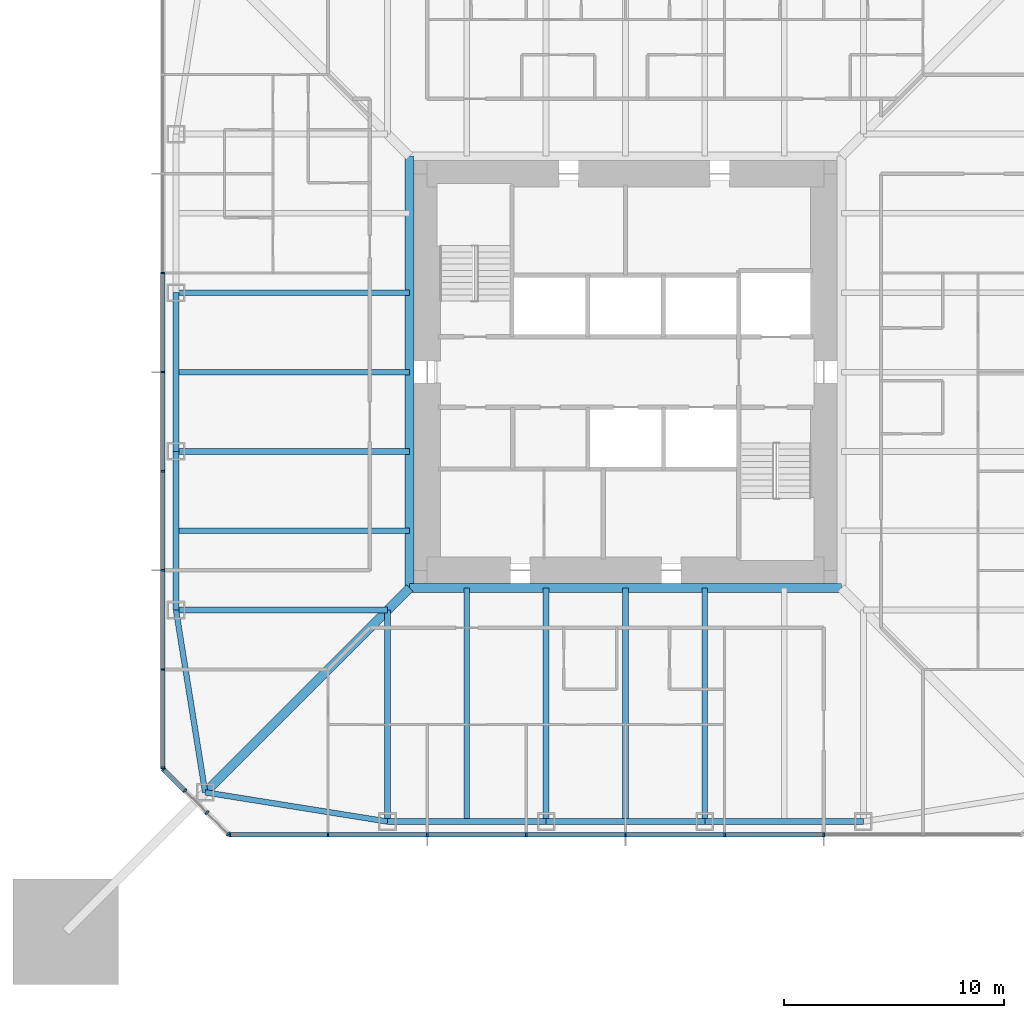
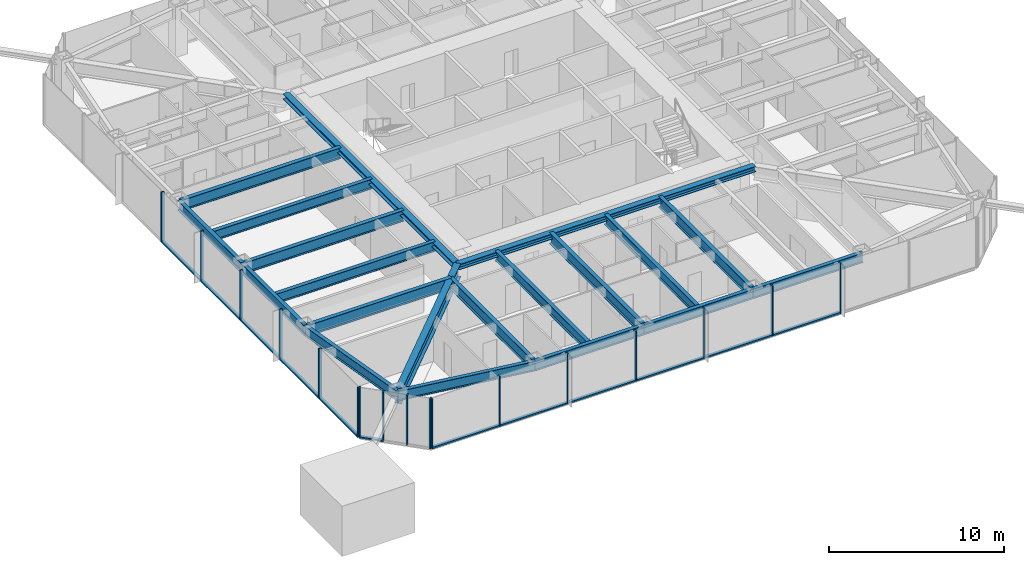
# One storey, part 2 of 23: 29 members, 20 beams, 3 elements without a shape of their own.
"""IFC4 building model written with IfcOpenShell, lengths in metres."""

from ifc_helpers import new_model, si_unit, direction, frame, origin, origin_2d, place, context, subcontext, project, spatial, rectangle, i_section, extrude, material, material_profile, profile_set, type_object, element, aggregate, save


model = new_model("IFC4")

# Units and contexts
model_context = context("Model", 3, precision=1e-05, world=origin(), true_north=direction((0.0, 1.0)))
body_context = subcontext(model_context, "Body", "Model", "MODEL_VIEW")
ifc_project = project(units=[si_unit("LENGTHUNIT", "METRE"), si_unit("AREAUNIT", "SQUARE_METRE"), si_unit("VOLUMEUNIT", "CUBIC_METRE"), si_unit("PLANEANGLEUNIT", "RADIAN"), si_unit("MASSUNIT", "GRAM", prefix="KILO")], contexts=[model_context])

# Site, building, storey
site_placement = place(None, origin())
site = spatial("IfcSite", under=ifc_project, at=site_placement, CompositionType="ELEMENT")
building_placement = place(site_placement, origin())
building = spatial("IfcBuilding", under=site, at=building_placement, Name="Iwan Alto Co-Living Towers", CompositionType="ELEMENT")
storey_placement = place(building_placement, frame((0.0, 0.0, 122.5)))
storey = spatial("IfcBuildingStorey", under=building, at=storey_placement, Name="L33", CompositionType="ELEMENT", Elevation=122.5)

# Curtain wall, members
ifc_material_1 = material(Name="Bronze aluminium unitised frame", Category="aluminium")
curtain_wall_type_1 = type_object("IfcCurtainWallType", Name="CURTAIN WALL CW-A", PredefinedType="NOTDEFINED", material=ifc_material_1)
curtain_wall_1_placement = place(storey_placement, origin())
curtain_wall_1 = element("IfcCurtainWall", 1, at=curtain_wall_1_placement, inside=storey, type_object=curtain_wall_type_1, Name="T1 curtain wall S L33", PredefinedType="NOTDEFINED")
ifc_material_2 = material(Name="Aluminium 6063-T6 bronze anodised", Category="aluminium")
ifc_material_profile_1 = material_profile(ifc_material_2, rectangle(XDim=0.199951171875, YDim=0.080078125, at=origin_2d()), Name="AL 80X200")
ifc_profile_set_1 = profile_set([ifc_material_profile_1], Name="Aluminium 6063-T6 bronze anodised")
member_type_1 = type_object("IfcMemberType", Name="CW-A MULLION 80X200", PredefinedType="MULLION", material=ifc_profile_set_1)
member_1_placement = place(storey_placement, frame((-17.9599609375, -21.0, 0.0), z_axis=(0.0, 0.0, 1.0), x_axis=(0.0, 1.0, 0.0)))
member_1 = element("IfcMember", 2, at=member_1_placement, type_object=member_type_1, Name="CW-A mullion 1", PredefinedType="MULLION", context=body_context, shape_type="SweptSolid", body=[
    extrude(rectangle(XDim=0.199951171875, YDim=0.080078125, at=origin_2d()), origin(), (0.0, 0.0, 1.0), 3.5),
])
member_2_placement = place(storey_placement, frame((-13.5, -21.0, 0.0), z_axis=(0.0, 0.0, 1.0), x_axis=(0.0, 1.0, 0.0)))
member_2 = element("IfcMember", 3, at=member_2_placement, type_object=member_type_1, Name="CW-A mullion 2", PredefinedType="MULLION", context=body_context, shape_type="SweptSolid", body=[
    extrude(rectangle(XDim=0.199951171875, YDim=0.080078125, at=origin_2d()), origin(), (0.0, 0.0, 1.0), 3.5),
])
member_3_placement = place(storey_placement, frame((-9.0, -21.0, 0.0), z_axis=(0.0, 0.0, 1.0), x_axis=(0.0, 1.0, 0.0)))
member_3 = element("IfcMember", 4, at=member_3_placement, type_object=member_type_1, Name="CW-A mullion 3", PredefinedType="MULLION", context=body_context, shape_type="SweptSolid", body=[
    extrude(rectangle(XDim=0.199951171875, YDim=0.080078125, at=origin_2d()), origin(), (0.0, 0.0, 1.0), 3.5),
])
member_4_placement = place(storey_placement, frame((-4.5, -21.0, 0.0), z_axis=(0.0, 0.0, 1.0), x_axis=(0.0, 1.0, 0.0)))
member_4 = element("IfcMember", 5, at=member_4_placement, type_object=member_type_1, Name="CW-A mullion 4", PredefinedType="MULLION", context=body_context, shape_type="SweptSolid", body=[
    extrude(rectangle(XDim=0.199951171875, YDim=0.080078125, at=origin_2d()), origin(), (0.0, 0.0, 1.0), 3.5),
])
member_5_placement = place(storey_placement, frame((0.0, -21.0, 0.0), z_axis=(0.0, 0.0, 1.0), x_axis=(0.0, 1.0, 0.0)))
member_5 = element("IfcMember", 6, at=member_5_placement, type_object=member_type_1, Name="CW-A mullion 5", PredefinedType="MULLION", context=body_context, shape_type="SweptSolid", body=[
    extrude(rectangle(XDim=0.199951171875, YDim=0.080078125, at=origin_2d()), origin(), (0.0, 0.0, 1.0), 3.5),
])
member_6_placement = place(storey_placement, frame((4.5, -21.0, 0.0), z_axis=(0.0, 0.0, 1.0), x_axis=(0.0, 1.0, 0.0)))
member_6 = element("IfcMember", 7, at=member_6_placement, type_object=member_type_1, Name="CW-A mullion 6", PredefinedType="MULLION", context=body_context, shape_type="SweptSolid", body=[
    extrude(rectangle(XDim=0.199951171875, YDim=0.080078125, at=origin_2d()), origin(), (0.0, 0.0, 1.0), 3.5),
])
member_7_placement = place(storey_placement, frame((9.0, -21.0, 0.0), z_axis=(0.0, 0.0, 1.0), x_axis=(0.0, 1.0, 0.0)))
member_7 = element("IfcMember", 8, at=member_7_placement, type_object=member_type_1, Name="CW-A mullion 7", PredefinedType="MULLION", context=body_context, shape_type="SweptSolid", body=[
    extrude(rectangle(XDim=0.199951171875, YDim=0.080078125, at=origin_2d()), origin(), (0.0, 0.0, 1.0), 3.5),
])

curtain_wall_2_placement = place(storey_placement, origin())
curtain_wall_2 = element("IfcCurtainWall", 9, at=curtain_wall_2_placement, inside=storey, type_object=curtain_wall_type_1, Name="T1 curtain wall W L33", PredefinedType="NOTDEFINED")
member_8_placement = place(storey_placement, frame((-21.0, 4.5, 0.0), z_axis=(0.0, 0.0, 1.0), x_axis=(1.0, 0.0, 0.0)))
member_8 = element("IfcMember", 10, at=member_8_placement, type_object=member_type_1, Name="CW-A mullion 4", PredefinedType="MULLION", context=body_context, shape_type="SweptSolid", body=[
    extrude(rectangle(XDim=0.199951171875, YDim=0.080078125, at=origin_2d()), origin(), (0.0, 0.0, 1.0), 3.5),
])
member_9_placement = place(storey_placement, frame((-21.0, 0.0, 0.0), z_axis=(0.0, 0.0, 1.0), x_axis=(1.0, 0.0, 0.0)))
member_9 = element("IfcMember", 11, at=member_9_placement, type_object=member_type_1, Name="CW-A mullion 5", PredefinedType="MULLION", context=body_context, shape_type="SweptSolid", body=[
    extrude(rectangle(XDim=0.199951171875, YDim=0.080078125, at=origin_2d()), origin(), (0.0, 0.0, 1.0), 3.5),
])
member_10_placement = place(storey_placement, frame((-21.0, -4.5, 0.0), z_axis=(0.0, 0.0, 1.0), x_axis=(1.0, 0.0, 0.0)))
member_10 = element("IfcMember", 12, at=member_10_placement, type_object=member_type_1, Name="CW-A mullion 6", PredefinedType="MULLION", context=body_context, shape_type="SweptSolid", body=[
    extrude(rectangle(XDim=0.199951171875, YDim=0.080078125, at=origin_2d()), origin(), (0.0, 0.0, 1.0), 3.5),
])
member_11_placement = place(storey_placement, frame((-21.0, -9.0, 0.0), z_axis=(0.0, 0.0, 1.0), x_axis=(1.0, 0.0, 0.0)))
member_11 = element("IfcMember", 13, at=member_11_placement, type_object=member_type_1, Name="CW-A mullion 7", PredefinedType="MULLION", context=body_context, shape_type="SweptSolid", body=[
    extrude(rectangle(XDim=0.199951171875, YDim=0.080078125, at=origin_2d()), origin(), (0.0, 0.0, 1.0), 3.5),
])
member_12_placement = place(storey_placement, frame((-21.0, -13.5, 0.0), z_axis=(0.0, 0.0, 1.0), x_axis=(1.0, 0.0, 0.0)))
member_12 = element("IfcMember", 14, at=member_12_placement, type_object=member_type_1, Name="CW-A mullion 8", PredefinedType="MULLION", context=body_context, shape_type="SweptSolid", body=[
    extrude(rectangle(XDim=0.199951171875, YDim=0.080078125, at=origin_2d()), origin(), (0.0, 0.0, 1.0), 3.5),
])
member_13_placement = place(storey_placement, frame((-21.0, -17.9599609375, 0.0), z_axis=(0.0, 0.0, 1.0), x_axis=(1.0, 0.0, 0.0)))
member_13 = element("IfcMember", 15, at=member_13_placement, type_object=member_type_1, Name="CW-A mullion 9", PredefinedType="MULLION", context=body_context, shape_type="SweptSolid", body=[
    extrude(rectangle(XDim=0.199951171875, YDim=0.080078125, at=origin_2d()), origin(), (0.0, 0.0, 1.0), 3.5),
])

# Member
ifc_material_3 = material(Name="Aluminium 6063-T6 bronze anodised", Category="aluminium")
ifc_material_profile_2 = material_profile(ifc_material_3, rectangle(XDim=0.199951171875, YDim=0.10009765625, at=origin_2d()), Name="AL 200X100")
ifc_profile_set_2 = profile_set([ifc_material_profile_2], Name="Aluminium 6063-T6 bronze anodised")
member_type_2 = type_object("IfcMemberType", Name="CW-A TRANSOM 200X100", PredefinedType="USERDEFINED", material=ifc_profile_set_2)
member_14_placement = place(storey_placement, frame((-17.919921875, -21.0, 0.050048828125), z_axis=(1.0, 0.0, 0.0), x_axis=(0.0, 1.0, 0.0)))
member_14 = element("IfcMember", 16, at=member_14_placement, type_object=member_type_2, Name="CW-A transom 1.1", ObjectType="TRANSOM", PredefinedType="USERDEFINED", context=body_context, shape_type="SweptSolid", body=[
    extrude(rectangle(XDim=0.199951171875, YDim=0.10009765625, at=origin_2d()), origin(), (0.0, 0.0, 1.0), 4.3798828125),
])

member_15_placement = place(storey_placement, frame((-13.4599609375, -21.0, 0.050048828125), z_axis=(1.0, 0.0, 0.0), x_axis=(0.0, 1.0, 0.0)))
member_15 = element("IfcMember", 17, at=member_15_placement, type_object=member_type_2, Name="CW-A transom 2.1", ObjectType="TRANSOM", PredefinedType="USERDEFINED", context=body_context, shape_type="SweptSolid", body=[
    extrude(rectangle(XDim=0.199951171875, YDim=0.10009765625, at=origin_2d()), origin(), (0.0, 0.0, 1.0), 4.419921875),
])

member_16_placement = place(storey_placement, frame((-8.9599609375, -21.0, 0.050048828125), z_axis=(1.0, 0.0, 0.0), x_axis=(0.0, 1.0, 0.0)))
member_16 = element("IfcMember", 18, at=member_16_placement, type_object=member_type_2, Name="CW-A transom 3.1", ObjectType="TRANSOM", PredefinedType="USERDEFINED", context=body_context, shape_type="SweptSolid", body=[
    extrude(rectangle(XDim=0.199951171875, YDim=0.10009765625, at=origin_2d()), origin(), (0.0, 0.0, 1.0), 4.419921875),
])

member_17_placement = place(storey_placement, frame((-4.4599609375, -21.0, 0.050048828125), z_axis=(1.0, 0.0, 0.0), x_axis=(0.0, 1.0, 0.0)))
member_17 = element("IfcMember", 19, at=member_17_placement, type_object=member_type_2, Name="CW-A transom 4.1", ObjectType="TRANSOM", PredefinedType="USERDEFINED", context=body_context, shape_type="SweptSolid", body=[
    extrude(rectangle(XDim=0.199951171875, YDim=0.10009765625, at=origin_2d()), origin(), (0.0, 0.0, 1.0), 4.419921875),
])

member_18_placement = place(storey_placement, frame((0.0400390625, -21.0, 0.050048828125), z_axis=(1.0, 0.0, 0.0), x_axis=(0.0, 1.0, 0.0)))
member_18 = element("IfcMember", 20, at=member_18_placement, type_object=member_type_2, Name="CW-A transom 5.1", ObjectType="TRANSOM", PredefinedType="USERDEFINED", context=body_context, shape_type="SweptSolid", body=[
    extrude(rectangle(XDim=0.199951171875, YDim=0.10009765625, at=origin_2d()), origin(), (0.0, 0.0, 1.0), 4.419921875),
])

member_19_placement = place(storey_placement, frame((4.5400390625, -21.0, 0.050048828125), z_axis=(1.0, 0.0, 0.0), x_axis=(0.0, 1.0, 0.0)))
member_19 = element("IfcMember", 21, at=member_19_placement, type_object=member_type_2, Name="CW-A transom 6.1", ObjectType="TRANSOM", PredefinedType="USERDEFINED", context=body_context, shape_type="SweptSolid", body=[
    extrude(rectangle(XDim=0.199951171875, YDim=0.10009765625, at=origin_2d()), origin(), (0.0, 0.0, 1.0), 4.419921875),
])

aggregate(curtain_wall_1, [member_1, member_2, member_3, member_4, member_5, member_6, member_7, member_14, member_15, member_16, member_17, member_18, member_19])

member_20_placement = place(storey_placement, frame((-21.0, 4.4599609375, 0.050048828125), z_axis=(0.0, -1.0, 0.0), x_axis=(1.0, 0.0, 0.0)))
member_20 = element("IfcMember", 22, at=member_20_placement, type_object=member_type_2, Name="CW-A transom 4.1", ObjectType="TRANSOM", PredefinedType="USERDEFINED", context=body_context, shape_type="SweptSolid", body=[
    extrude(rectangle(XDim=0.199951171875, YDim=0.10009765625, at=origin_2d()), origin(), (0.0, 0.0, 1.0), 4.419921875),
])

member_21_placement = place(storey_placement, frame((-21.0, -0.0400390625, 0.050048828125), z_axis=(0.0, -1.0, 0.0), x_axis=(1.0, 0.0, 0.0)))
member_21 = element("IfcMember", 23, at=member_21_placement, type_object=member_type_2, Name="CW-A transom 5.1", ObjectType="TRANSOM", PredefinedType="USERDEFINED", context=body_context, shape_type="SweptSolid", body=[
    extrude(rectangle(XDim=0.199951171875, YDim=0.10009765625, at=origin_2d()), origin(), (0.0, 0.0, 1.0), 4.419921875),
])

member_22_placement = place(storey_placement, frame((-21.0, -4.5400390625, 0.050048828125), z_axis=(0.0, -1.0, 0.0), x_axis=(1.0, 0.0, 0.0)))
member_22 = element("IfcMember", 24, at=member_22_placement, type_object=member_type_2, Name="CW-A transom 6.1", ObjectType="TRANSOM", PredefinedType="USERDEFINED", context=body_context, shape_type="SweptSolid", body=[
    extrude(rectangle(XDim=0.199951171875, YDim=0.10009765625, at=origin_2d()), origin(), (0.0, 0.0, 1.0), 4.419921875),
])

member_23_placement = place(storey_placement, frame((-21.0, -9.0400390625, 0.050048828125), z_axis=(0.0, -1.0, 0.0), x_axis=(1.0, 0.0, 0.0)))
member_23 = element("IfcMember", 25, at=member_23_placement, type_object=member_type_2, Name="CW-A transom 7.1", ObjectType="TRANSOM", PredefinedType="USERDEFINED", context=body_context, shape_type="SweptSolid", body=[
    extrude(rectangle(XDim=0.199951171875, YDim=0.10009765625, at=origin_2d()), origin(), (0.0, 0.0, 1.0), 4.419921875),
])

member_24_placement = place(storey_placement, frame((-21.0, -13.5400390625, 0.050048828125), z_axis=(0.0, -1.0, 0.0), x_axis=(1.0, 0.0, 0.0)))
member_24 = element("IfcMember", 26, at=member_24_placement, type_object=member_type_2, Name="CW-A transom 8.1", ObjectType="TRANSOM", PredefinedType="USERDEFINED", context=body_context, shape_type="SweptSolid", body=[
    extrude(rectangle(XDim=0.199951171875, YDim=0.10009765625, at=origin_2d()), origin(), (0.0, 0.0, 1.0), 4.3798828125),
])

aggregate(curtain_wall_2, [member_8, member_9, member_10, member_11, member_12, member_13, member_20, member_21, member_22, member_23, member_24])

# Curtain wall, members
ifc_material_4 = material(Name="Bronze aluminium unitised frame", Category="aluminium")
curtain_wall_type_2 = type_object("IfcCurtainWallType", Name="CURTAIN WALL CW-B", PredefinedType="NOTDEFINED", material=ifc_material_4)
curtain_wall_3_placement = place(storey_placement, origin())
curtain_wall_3 = element("IfcCurtainWall", 27, at=curtain_wall_3_placement, inside=storey, type_object=curtain_wall_type_2, Name="T1 chamfer curtain wall SW L33", PredefinedType="NOTDEFINED")
ifc_material_5 = material(Name="Aluminium 6063-T6 bronze anodised", Category="aluminium")
ifc_material_profile_3 = material_profile(ifc_material_5, rectangle(XDim=0.199951171875, YDim=0.080078125, at=origin_2d()), Name="AL 80X200")
ifc_profile_set_3 = profile_set([ifc_material_profile_3], Name="Aluminium 6063-T6 bronze anodised")
member_type_3 = type_object("IfcMemberType", Name="CW-B MULLION 80X200", PredefinedType="MULLION", material=ifc_profile_set_3)
member_25_placement = place(storey_placement, frame((-20.9716796875, -18.0283203125, 0.0), z_axis=(0.0, 0.0, 1.0), x_axis=(0.707106781187, 0.707106781187, 0.0)))
member_25 = element("IfcMember", 28, at=member_25_placement, type_object=member_type_3, Name="CW-B mullion 1", PredefinedType="MULLION", context=body_context, shape_type="SweptSolid", body=[
    extrude(rectangle(XDim=0.199951171875, YDim=0.080078125, at=origin_2d()), origin(), (0.0, 0.0, 1.0), 3.5),
])
member_26_placement = place(storey_placement, frame((-20.0, -19.0, 0.0), z_axis=(0.0, 0.0, 1.0), x_axis=(0.707106781187, 0.707106781187, 0.0)))
member_26 = element("IfcMember", 29, at=member_26_placement, type_object=member_type_3, Name="CW-B mullion 2", PredefinedType="MULLION", context=body_context, shape_type="SweptSolid", body=[
    extrude(rectangle(XDim=0.199951171875, YDim=0.080078125, at=origin_2d()), origin(), (0.0, 0.0, 1.0), 3.5),
])
member_27_placement = place(storey_placement, frame((-19.0, -20.0, 0.0), z_axis=(0.0, 0.0, 1.0), x_axis=(0.707106781187, 0.707106781187, 0.0)))
member_27 = element("IfcMember", 30, at=member_27_placement, type_object=member_type_3, Name="CW-B mullion 3", PredefinedType="MULLION", context=body_context, shape_type="SweptSolid", body=[
    extrude(rectangle(XDim=0.199951171875, YDim=0.080078125, at=origin_2d()), origin(), (0.0, 0.0, 1.0), 3.5),
])
member_28_placement = place(storey_placement, frame((-18.0283203125, -20.9716796875, 0.0), z_axis=(0.0, 0.0, 1.0), x_axis=(0.707106781187, 0.707106781187, 0.0)))
member_28 = element("IfcMember", 31, at=member_28_placement, type_object=member_type_3, Name="CW-B mullion 4", PredefinedType="MULLION", context=body_context, shape_type="SweptSolid", body=[
    extrude(rectangle(XDim=0.199951171875, YDim=0.080078125, at=origin_2d()), origin(), (0.0, 0.0, 1.0), 3.5),
])
ifc_material_6 = material(Name="Aluminium 6063-T6 bronze anodised", Category="aluminium")
ifc_material_profile_4 = material_profile(ifc_material_6, rectangle(XDim=0.199951171875, YDim=0.10009765625, at=origin_2d()), Name="AL 200X100")
ifc_profile_set_4 = profile_set([ifc_material_profile_4], Name="Aluminium 6063-T6 bronze anodised")
member_type_4 = type_object("IfcMemberType", Name="CW-B TRANSOM 200X100", PredefinedType="USERDEFINED", material=ifc_profile_set_4)
member_29_placement = place(storey_placement, frame((-20.943359375, -18.056640625, 0.050048828125), z_axis=(0.707106781187, -0.707106781187, 0.0), x_axis=(0.707106781187, 0.707106781187, 0.0)))
member_29 = element("IfcMember", 32, at=member_29_placement, type_object=member_type_4, Name="CW-B transom 1.1", ObjectType="TRANSOM", PredefinedType="USERDEFINED", context=body_context, shape_type="SweptSolid", body=[
    extrude(rectangle(XDim=0.199951171875, YDim=0.10009765625, at=origin_2d()), origin(), (0.0, 0.0, 1.0), 1.2939453125),
])
aggregate(curtain_wall_3, [member_25, member_26, member_27, member_28, member_29])

# Beams
ifc_material_7 = material(Name="Steel ASTM A992 Gr 50", Category="steel")
ifc_material_profile_5 = material_profile(ifc_material_7, i_section(OverallWidth=0.398681640625, OverallDepth=0.385986328125, WebThickness=0.02099609375, FlangeThickness=0.033203125, at=origin_2d()), Name="W14X176")
ifc_profile_set_5 = profile_set([ifc_material_profile_5], Name="Steel ASTM A992 Gr 50")
beam_type_1 = type_object("IfcBeamType", Name="T1 CORE LEDGER BEAM W14X176", PredefinedType="BEAM", material=ifc_profile_set_5)
for number, where, z_axis, x_axis, name in (
    (33, (-9.79931640625, -9.79931640625, 3.076904296875), (1.0, 0.0, 0.0), (0.0, 1.0, 0.0), "T1 core ledger beam S L34"),
    (34, (-9.79931640625, 9.79931640625, 3.076904296875), (0.0, -1.0, 0.0), (1.0, 0.0, 0.0), "T1 core ledger beam W L34"),
):
    element("IfcBeam", number, at=place(storey_placement, frame(where, z_axis=z_axis, x_axis=x_axis)), inside=storey, type_object=beam_type_1, Name=name, PredefinedType="BEAM", context=body_context, shape_type="SweptSolid", body=[
        extrude(i_section(OverallWidth=0.398681640625, OverallDepth=0.385986328125, WebThickness=0.02099609375, FlangeThickness=0.033203125, at=origin_2d()), origin(), (0.0, 0.0, 1.0), 19.5986328125),
    ])
ifc_material_8 = material(Name="Steel ASTM A992 Gr 50", Category="steel")
ifc_material_profile_6 = material_profile(ifc_material_8, i_section(OverallWidth=0.419189453125, OverallDepth=0.927001953125, WebThickness=0.019287109375, FlangeThickness=0.031982421875, at=origin_2d()), Name="W36X231")
ifc_profile_set_6 = profile_set([ifc_material_profile_6], Name="Steel ASTM A992 Gr 50")
beam_type_2 = type_object("IfcBeamType", Name="T1 CORNER GIRDER W36X231", PredefinedType="BEAM", material=ifc_profile_set_6)
beam_1_placement = place(storey_placement, frame((-19.07568359375, -19.07568359375, 2.806396484375), z_axis=(0.707106781187, 0.707106781187, 0.0), x_axis=(-0.707106781187, 0.707106781187, 0.0)))
element("IfcBeam", 35, at=beam_1_placement, inside=storey, type_object=beam_type_2, Name="T1 corner girder CSW L34", PredefinedType="BEAM", context=body_context, shape_type="SweptSolid", body=[
    extrude(i_section(OverallWidth=0.419189453125, OverallDepth=0.927001953125, WebThickness=0.019287109375, FlangeThickness=0.031982421875, at=origin_2d()), origin(), (0.0, 0.0, 1.0), 13.11865234375),
])
ifc_material_9 = material(Name="Steel ASTM A992 Gr 50", Category="steel")
ifc_material_profile_7 = material_profile(ifc_material_9, i_section(OverallWidth=0.25390625, OverallDepth=0.683349609375, WebThickness=0.012451171875, FlangeThickness=0.018798828125, at=origin_2d()), Name="W27X94")
ifc_profile_set_7 = profile_set([ifc_material_profile_7], Name="Steel ASTM A992 Gr 50")
beam_type_3 = type_object("IfcBeamType", Name="T1 EDGE BEAM W27X94", PredefinedType="BEAM", material=ifc_profile_set_7)
beam_2_placement = place(storey_placement, frame((-19.07568359375, -19.07568359375, 2.928466796875), z_axis=(0.987438450439, -0.158004134737, 0.0), x_axis=(0.158004134737, 0.987438450439, 0.0)))
element("IfcBeam", 36, at=beam_2_placement, inside=storey, type_object=beam_type_3, Name="T1 edge beam CSW L34", PredefinedType="BEAM", context=body_context, shape_type="SweptSolid", body=[
    extrude(i_section(OverallWidth=0.25390625, OverallDepth=0.683349609375, WebThickness=0.012451171875, FlangeThickness=0.018798828125, at=origin_2d()), origin(), (0.0, 0.0, 1.0), 8.380859375),
])
beam_3_placement = place(storey_placement, frame((-10.800048828125, -20.39990234375, 2.928466796875), z_axis=(1.0, 0.0, 0.0), x_axis=(0.0, 1.0, 0.0)))
element("IfcBeam", 37, at=beam_3_placement, inside=storey, type_object=beam_type_3, Name="T1 edge beam S1 L34", PredefinedType="BEAM", context=body_context, shape_type="SweptSolid", body=[
    extrude(i_section(OverallWidth=0.25390625, OverallDepth=0.683349609375, WebThickness=0.012451171875, FlangeThickness=0.018798828125, at=origin_2d()), origin(), (0.0, 0.0, 1.0), 7.199951171875),
])
beam_4_placement = place(storey_placement, frame((-3.60009765625, -20.39990234375, 2.928466796875), z_axis=(1.0, 0.0, 0.0), x_axis=(0.0, 1.0, 0.0)))
element("IfcBeam", 38, at=beam_4_placement, inside=storey, type_object=beam_type_3, Name="T1 edge beam S2 L34", PredefinedType="BEAM", context=body_context, shape_type="SweptSolid", body=[
    extrude(i_section(OverallWidth=0.25390625, OverallDepth=0.683349609375, WebThickness=0.012451171875, FlangeThickness=0.018798828125, at=origin_2d()), origin(), (0.0, 0.0, 1.0), 7.2001953125),
])
beam_5_placement = place(storey_placement, frame((3.60009765625, -20.39990234375, 2.928466796875), z_axis=(1.0, 0.0, 0.0), x_axis=(0.0, 1.0, 0.0)))
element("IfcBeam", 39, at=beam_5_placement, inside=storey, type_object=beam_type_3, Name="T1 edge beam S3 L34", PredefinedType="BEAM", context=body_context, shape_type="SweptSolid", body=[
    extrude(i_section(OverallWidth=0.25390625, OverallDepth=0.683349609375, WebThickness=0.012451171875, FlangeThickness=0.018798828125, at=origin_2d()), origin(), (0.0, 0.0, 1.0), 7.199951171875),
])
beam_6_placement = place(storey_placement, frame((-20.39990234375, 3.60009765625, 2.928466796875), z_axis=(0.0, -1.0, 0.0), x_axis=(1.0, 0.0, 0.0)))
element("IfcBeam", 40, at=beam_6_placement, inside=storey, type_object=beam_type_3, Name="T1 edge beam W2 L34", PredefinedType="BEAM", context=body_context, shape_type="SweptSolid", body=[
    extrude(i_section(OverallWidth=0.25390625, OverallDepth=0.683349609375, WebThickness=0.012451171875, FlangeThickness=0.018798828125, at=origin_2d()), origin(), (0.0, 0.0, 1.0), 7.2001953125),
])
beam_7_placement = place(storey_placement, frame((-20.39990234375, -3.60009765625, 2.928466796875), z_axis=(0.0, -1.0, 0.0), x_axis=(1.0, 0.0, 0.0)))
element("IfcBeam", 41, at=beam_7_placement, inside=storey, type_object=beam_type_3, Name="T1 edge beam W3 L34", PredefinedType="BEAM", context=body_context, shape_type="SweptSolid", body=[
    extrude(i_section(OverallWidth=0.25390625, OverallDepth=0.683349609375, WebThickness=0.012451171875, FlangeThickness=0.018798828125, at=origin_2d()), origin(), (0.0, 0.0, 1.0), 7.199951171875),
])
beam_8_placement = place(storey_placement, frame((-20.39990234375, -10.800048828125, 2.928466796875), z_axis=(0.158004134737, -0.987438450439, 0.0), x_axis=(0.987438450439, 0.158004134737, 0.0)))
element("IfcBeam", 42, at=beam_8_placement, inside=storey, type_object=beam_type_3, Name="T1 edge beam W4 L34", PredefinedType="BEAM", context=body_context, shape_type="SweptSolid", body=[
    extrude(i_section(OverallWidth=0.25390625, OverallDepth=0.683349609375, WebThickness=0.012451171875, FlangeThickness=0.018798828125, at=origin_2d()), origin(), (0.0, 0.0, 1.0), 8.380859375),
])
ifc_material_10 = material(Name="Steel ASTM A992 Gr 50", Category="steel")
ifc_material_profile_8 = material_profile(ifc_material_10, i_section(OverallWidth=0.2666015625, OverallDepth=0.761962890625, WebThickness=0.014404296875, FlangeThickness=0.021484375, at=origin_2d()), Name="W30X116")
ifc_profile_set_8 = profile_set([ifc_material_profile_8], Name="Steel ASTM A992 Gr 50")
beam_type_4 = type_object("IfcBeamType", Name="T1 RADIAL BEAM W30X116", PredefinedType="BEAM", material=ifc_profile_set_8)
beam_9_placement = place(storey_placement, frame((-10.800048828125, -20.39990234375, 2.888916015625), z_axis=(0.0, 1.0, 0.0), x_axis=(-1.0, 0.0, 0.0)))
element("IfcBeam", 43, at=beam_9_placement, inside=storey, type_object=beam_type_4, Name="T1 radial beam S1 L34", PredefinedType="BEAM", context=body_context, shape_type="SweptSolid", body=[
    extrude(i_section(OverallWidth=0.2666015625, OverallDepth=0.761962890625, WebThickness=0.014404296875, FlangeThickness=0.021484375, at=origin_2d()), origin(), (0.0, 0.0, 1.0), 9.599853515625),
])
for number, where, z_axis, x_axis, name in (
    (44, (-3.60009765625, -20.39990234375, 2.888916015625), (0.0, 1.0, 0.0), (-1.0, 0.0, 0.0), "T1 radial beam S2 L34"),
    (45, (3.60009765625, -20.39990234375, 2.888916015625), (0.0, 1.0, 0.0), (-1.0, 0.0, 0.0), "T1 radial beam S3 L34"),
    (46, (-20.39990234375, 3.60009765625, 2.888916015625), (1.0, 0.0, 0.0), (0.0, 1.0, 0.0), "T1 radial beam W2 L34"),
    (47, (-20.39990234375, -3.60009765625, 2.888916015625), (1.0, 0.0, 0.0), (0.0, 1.0, 0.0), "T1 radial beam W3 L34"),
):
    element("IfcBeam", number, at=place(storey_placement, frame(where, z_axis=z_axis, x_axis=x_axis)), inside=storey, type_object=beam_type_4, Name=name, PredefinedType="BEAM", context=body_context, shape_type="SweptSolid", body=[
        extrude(i_section(OverallWidth=0.2666015625, OverallDepth=0.761962890625, WebThickness=0.014404296875, FlangeThickness=0.021484375, at=origin_2d()), origin(), (0.0, 0.0, 1.0), 10.6005859375),
    ])
beam_10_placement = place(storey_placement, frame((-20.39990234375, -10.800048828125, 2.888916015625), z_axis=(1.0, 0.0, 0.0), x_axis=(0.0, 1.0, 0.0)))
element("IfcBeam", 48, at=beam_10_placement, inside=storey, type_object=beam_type_4, Name="T1 radial beam W4 L34", PredefinedType="BEAM", context=body_context, shape_type="SweptSolid", body=[
    extrude(i_section(OverallWidth=0.2666015625, OverallDepth=0.761962890625, WebThickness=0.014404296875, FlangeThickness=0.021484375, at=origin_2d()), origin(), (0.0, 0.0, 1.0), 9.599853515625),
])
ifc_material_11 = material(Name="Steel ASTM A992 Gr 50", Category="steel")
ifc_material_profile_9 = material_profile(ifc_material_11, i_section(OverallWidth=0.25390625, OverallDepth=0.683349609375, WebThickness=0.012451171875, FlangeThickness=0.018798828125, at=origin_2d()), Name="W27X94")
ifc_profile_set_9 = profile_set([ifc_material_profile_9], Name="Steel ASTM A992 Gr 50")
beam_type_5 = type_object("IfcBeamType", Name="T1 SECONDARY BEAM W27X94", PredefinedType="JOIST", material=ifc_profile_set_9)
for number, where, z_axis, x_axis, name in (
    (49, (-7.199951171875, -20.39990234375, 2.928466796875), (0.0, 1.0, 0.0), (-1.0, 0.0, 0.0), "T1 secondary beam S1 L34"),
    (50, (0.0, -20.39990234375, 2.928466796875), (0.0, 1.0, 0.0), (-1.0, 0.0, 0.0), "T1 secondary beam S2 L34"),
    (51, (-20.39990234375, 0.0, 2.928466796875), (1.0, 0.0, 0.0), (0.0, 1.0, 0.0), "T1 secondary beam W2 L34"),
    (52, (-20.39990234375, -7.199951171875, 2.928466796875), (1.0, 0.0, 0.0), (0.0, 1.0, 0.0), "T1 secondary beam W3 L34"),
):
    element("IfcBeam", number, at=place(storey_placement, frame(where, z_axis=z_axis, x_axis=x_axis)), inside=storey, type_object=beam_type_5, Name=name, PredefinedType="JOIST", context=body_context, shape_type="SweptSolid", body=[
        extrude(i_section(OverallWidth=0.25390625, OverallDepth=0.683349609375, WebThickness=0.012451171875, FlangeThickness=0.018798828125, at=origin_2d()), origin(), (0.0, 0.0, 1.0), 10.6005859375),
    ])

save(model, "model.ifc")
